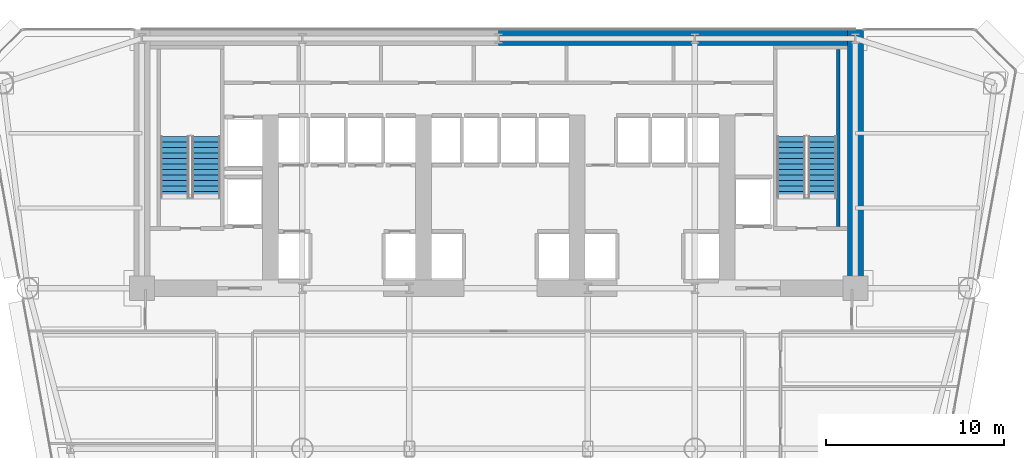
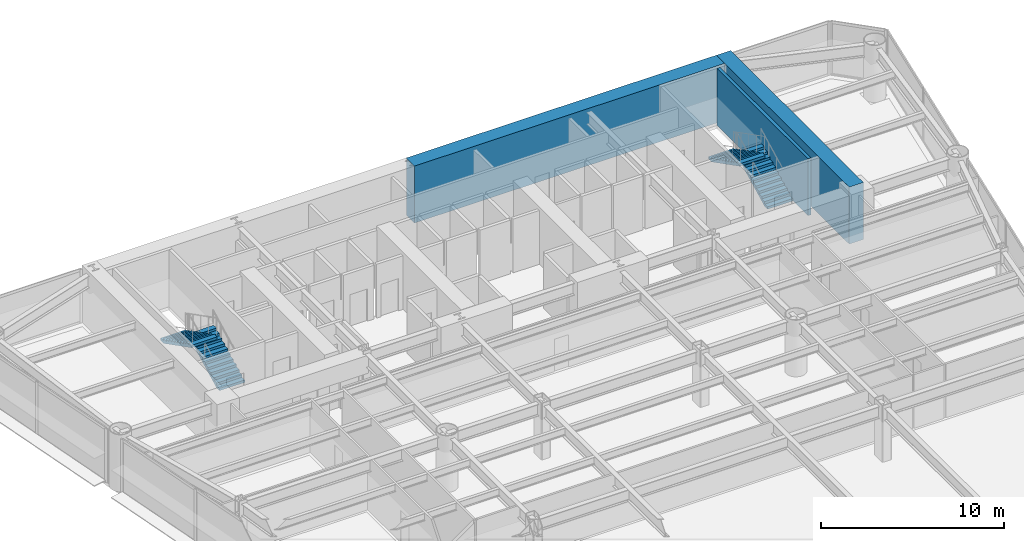
# One storey, part 10 of 14: 4 stair flights, 3 walls, 2 elements without a shape of their own.
"""IFC4 building model written with IfcOpenShell, lengths in metres."""

from ifc_helpers import new_model, si_unit, direction, frame, frame_2d, origin, place, context, subcontext, project, spatial, polyline, rectangle, outline, extrude, material, layer, layer_set, type_object, element, aggregate, save


model = new_model("IFC4")

# Units and contexts
model_context = context("Model", 3, precision=1e-05, world=origin(), true_north=direction((0.0, 1.0)))
body_context = subcontext(model_context, "Body", "Model", "MODEL_VIEW")
ifc_project = project(units=[si_unit("LENGTHUNIT", "METRE"), si_unit("AREAUNIT", "SQUARE_METRE"), si_unit("VOLUMEUNIT", "CUBIC_METRE"), si_unit("PLANEANGLEUNIT", "RADIAN"), si_unit("MASSUNIT", "GRAM", prefix="KILO")], contexts=[model_context])

# Site, building, storey
site_placement = place(None, origin())
site = spatial("IfcSite", under=ifc_project, at=site_placement, CompositionType="ELEMENT")
building_placement = place(site_placement, origin())
building = spatial("IfcBuilding", under=site, at=building_placement, Name="Vaeldorn Concourse Tower", CompositionType="ELEMENT")
storey_placement = place(building_placement, frame((0.0, 0.0, 64.39990234375)))
storey = spatial("IfcBuildingStorey", under=building, at=storey_placement, Name="L16", CompositionType="ELEMENT", Elevation=64.39990234375)

# Walls
ifc_material_1 = material(Name="Concrete C60/75", Category="concrete")
ifc_layer_1 = layer(ifc_material_1, 0.89990234375)
ifc_layer_set_1 = layer_set([ifc_layer_1], Name="Concrete C60/75")
wall_type_1 = type_object("IfcWallType", Name="WL-CORE-900", PredefinedType="SHEAR", material=ifc_layer_set_1)
wall_1_placement = place(storey_placement, frame((34.001953125, 50.550048828125, 0.0), z_axis=(0.0, 0.0, 1.0), x_axis=(1.0, 0.0, 0.0)))
element("IfcWall", 1, at=wall_1_placement, inside=storey, type_object=wall_type_1, Name="Rear Core Shear Wall L16 N2", PredefinedType="SHEAR", context=body_context, shape_type="SweptSolid", body=[
    extrude(rectangle(XDim=19.5439453125, YDim=0.89990234375, at=frame_2d((9.77197265625, 0.0))), origin(), (0.0, 0.0, 1.0), 3.800048828125),
])
wall_2_placement = place(storey_placement, frame((54.0, 36.5, 0.0), z_axis=(0.0, 0.0, 1.0), x_axis=(0.0, 1.0, 0.0)))
element("IfcWall", 2, at=wall_2_placement, inside=storey, type_object=wall_type_1, Name="Rear Core Shear Wall L16 E1", PredefinedType="SHEAR", context=body_context, shape_type="SweptSolid", body=[
    extrude(rectangle(XDim=14.5, YDim=0.89990234375, at=frame_2d((7.25, 0.0))), origin(), (0.0, 0.0, 1.0), 3.800048828125),
])
ifc_material_2 = material(Name="Concrete C50/60", Category="concrete")
ifc_layer_2 = layer(ifc_material_2, 0.199951171875)
ifc_layer_set_2 = layer_set([ifc_layer_2], Name="Concrete C50/60")
wall_type_2 = type_object("IfcWallType", Name="WL-SHAFT-200", PredefinedType="SOLIDWALL", material=ifc_layer_set_2)
wall_3_placement = place(storey_placement, frame((53.050048828125, 39.9599609375, 0.0), z_axis=(0.0, 0.0, 1.0), x_axis=(0.0, 1.0, 0.0)))
element("IfcWall", 3, at=wall_3_placement, inside=storey, type_object=wall_type_2, Name="Stair Shaft Wall CW-L16-ST-2-E", PredefinedType="SOLIDWALL", context=body_context, shape_type="SweptSolid", body=[
    extrude(rectangle(XDim=9.929931640625, YDim=0.199951171875, at=frame_2d((4.96484375, 0.0))), origin(), (0.0, 0.0, 1.0), 3.800048828125),
])

# Stair, stair flights
ifc_material_3 = material(Name="Precast concrete C40/50", Category="concrete")
stair_type = type_object("IfcStairType", Name="STR-DOG-24x158", PredefinedType="HALF_TURN_STAIR", material=ifc_material_3)
stair_1_placement = place(storey_placement, origin())
stair_1 = element("IfcStair", 4, at=stair_1_placement, inside=storey, type_object=stair_type, Name="L16 West Core Exit Stair ST-1", PredefinedType="HALF_TURN_STAIR")
stair_flight_type = type_object("IfcStairFlightType", Name="STF-STR-12x158", PredefinedType="STRAIGHT", material=ifc_material_3)
stair_flight_1_placement = place(storey_placement, frame((17.60009765625, 41.60009765625, 0.0), z_axis=(0.0, 0.0, 1.0), x_axis=(0.0, 1.0, 0.0)))
stair_flight_1 = element("IfcStairFlight", 5, at=stair_flight_1_placement, type_object=stair_flight_type, Name="ST-1 flight 1", NumberOfRisers=12, NumberOfTreads=11, PredefinedType="STRAIGHT", RiserHeight=0.158333333, TreadLength=0.31, context=body_context, shape_type="SweptSolid", body=[
    extrude(outline(polyline([(0.0, 0.0), (0.0, 0.158447265625), (0.31005859375, 0.158447265625), (0.31005859375, 0.316650390625), (0.6201171875, 0.316650390625), (0.6201171875, 0.47509765625), (0.929931640625, 0.47509765625), (0.929931640625, 0.63330078125), (1.239990234375, 0.63330078125), (1.239990234375, 0.791748046875), (1.550048828125, 0.791748046875), (1.550048828125, 0.949951171875), (1.860107421875, 0.949951171875), (1.860107421875, 1.1083984375), (2.169921875, 1.1083984375), (2.169921875, 1.2666015625), (2.47998046875, 1.2666015625), (2.47998046875, 1.425048828125), (2.7900390625, 1.425048828125), (2.7900390625, 1.583251953125), (3.10009765625, 1.583251953125), (3.10009765625, 1.74169921875), (3.409912109375, 1.74169921875), (3.409912109375, 1.89990234375), (3.409912109375, 1.5732421875), (0.32958984375, 0.0), (0.0, 0.0)])), frame((0.0, 0.800048828125, 0.0), z_axis=(0.0, -1.0, 0.0), x_axis=(1.0, 0.0, 0.0)), (0.0, 0.0, 1.0), 1.60009765625),
])
stair_flight_2_placement = place(storey_placement, frame((15.85009765625, 45.010009765625, 1.900146484375), z_axis=(0.0, 0.0, 1.0), x_axis=(0.0, -1.0, 0.0)))
stair_flight_2 = element("IfcStairFlight", 6, at=stair_flight_2_placement, type_object=stair_flight_type, Name="ST-1 flight 2", NumberOfRisers=12, NumberOfTreads=11, PredefinedType="STRAIGHT", RiserHeight=0.158333333, TreadLength=0.31, context=body_context, shape_type="SweptSolid", body=[
    extrude(outline(polyline([(0.0, 0.0), (0.0, 0.158447265625), (0.31005859375, 0.158447265625), (0.31005859375, 0.316650390625), (0.6201171875, 0.316650390625), (0.6201171875, 0.47509765625), (0.929931640625, 0.47509765625), (0.929931640625, 0.63330078125), (1.239990234375, 0.63330078125), (1.239990234375, 0.791748046875), (1.550048828125, 0.791748046875), (1.550048828125, 0.949951171875), (1.860107421875, 0.949951171875), (1.860107421875, 1.1083984375), (2.169921875, 1.1083984375), (2.169921875, 1.2666015625), (2.47998046875, 1.2666015625), (2.47998046875, 1.425048828125), (2.7900390625, 1.425048828125), (2.7900390625, 1.583251953125), (3.10009765625, 1.583251953125), (3.10009765625, 1.74169921875), (3.409912109375, 1.74169921875), (3.409912109375, 1.89990234375), (3.409912109375, 1.5732421875), (0.32958984375, 0.0), (0.0, 0.0)])), frame((0.0, 0.800048828125, 0.0), z_axis=(0.0, -1.0, 0.0), x_axis=(1.0, 0.0, 0.0)), (0.0, 0.0, 1.0), 1.60009765625),
])
aggregate(stair_1, [stair_flight_1, stair_flight_2])

stair_2_placement = place(storey_placement, origin())
stair_2 = element("IfcStair", 7, at=stair_2_placement, inside=storey, type_object=stair_type, Name="L16 East Core Exit Stair ST-2", PredefinedType="HALF_TURN_STAIR")
stair_flight_3_placement = place(storey_placement, frame((52.14990234375, 41.60009765625, 0.0), z_axis=(0.0, 0.0, 1.0), x_axis=(0.0, 1.0, 0.0)))
stair_flight_3 = element("IfcStairFlight", 8, at=stair_flight_3_placement, type_object=stair_flight_type, Name="ST-2 flight 1", NumberOfRisers=12, NumberOfTreads=11, PredefinedType="STRAIGHT", RiserHeight=0.158333333, TreadLength=0.31, context=body_context, shape_type="SweptSolid", body=[
    extrude(outline(polyline([(0.0, 0.0), (0.0, 0.158447265625), (0.31005859375, 0.158447265625), (0.31005859375, 0.316650390625), (0.6201171875, 0.316650390625), (0.6201171875, 0.47509765625), (0.929931640625, 0.47509765625), (0.929931640625, 0.63330078125), (1.239990234375, 0.63330078125), (1.239990234375, 0.791748046875), (1.550048828125, 0.791748046875), (1.550048828125, 0.949951171875), (1.860107421875, 0.949951171875), (1.860107421875, 1.1083984375), (2.169921875, 1.1083984375), (2.169921875, 1.2666015625), (2.47998046875, 1.2666015625), (2.47998046875, 1.425048828125), (2.7900390625, 1.425048828125), (2.7900390625, 1.583251953125), (3.10009765625, 1.583251953125), (3.10009765625, 1.74169921875), (3.409912109375, 1.74169921875), (3.409912109375, 1.89990234375), (3.409912109375, 1.5732421875), (0.32958984375, 0.0), (0.0, 0.0)])), frame((0.0, 0.800048828125, 0.0), z_axis=(0.0, -1.0, 0.0), x_axis=(1.0, 0.0, 0.0)), (0.0, 0.0, 1.0), 1.60009765625),
])
stair_flight_4_placement = place(storey_placement, frame((50.39990234375, 45.010009765625, 1.900146484375), z_axis=(0.0, 0.0, 1.0), x_axis=(0.0, -1.0, 0.0)))
stair_flight_4 = element("IfcStairFlight", 9, at=stair_flight_4_placement, type_object=stair_flight_type, Name="ST-2 flight 2", NumberOfRisers=12, NumberOfTreads=11, PredefinedType="STRAIGHT", RiserHeight=0.158333333, TreadLength=0.31, context=body_context, shape_type="SweptSolid", body=[
    extrude(outline(polyline([(0.0, 0.0), (0.0, 0.158447265625), (0.31005859375, 0.158447265625), (0.31005859375, 0.316650390625), (0.6201171875, 0.316650390625), (0.6201171875, 0.47509765625), (0.929931640625, 0.47509765625), (0.929931640625, 0.63330078125), (1.239990234375, 0.63330078125), (1.239990234375, 0.791748046875), (1.550048828125, 0.791748046875), (1.550048828125, 0.949951171875), (1.860107421875, 0.949951171875), (1.860107421875, 1.1083984375), (2.169921875, 1.1083984375), (2.169921875, 1.2666015625), (2.47998046875, 1.2666015625), (2.47998046875, 1.425048828125), (2.7900390625, 1.425048828125), (2.7900390625, 1.583251953125), (3.10009765625, 1.583251953125), (3.10009765625, 1.74169921875), (3.409912109375, 1.74169921875), (3.409912109375, 1.89990234375), (3.409912109375, 1.5732421875), (0.32958984375, 0.0), (0.0, 0.0)])), frame((0.0, 0.800048828125, 0.0), z_axis=(0.0, -1.0, 0.0), x_axis=(1.0, 0.0, 0.0)), (0.0, 0.0, 1.0), 1.60009765625),
])
aggregate(stair_2, [stair_flight_3, stair_flight_4])

save(model, "model.ifc")
